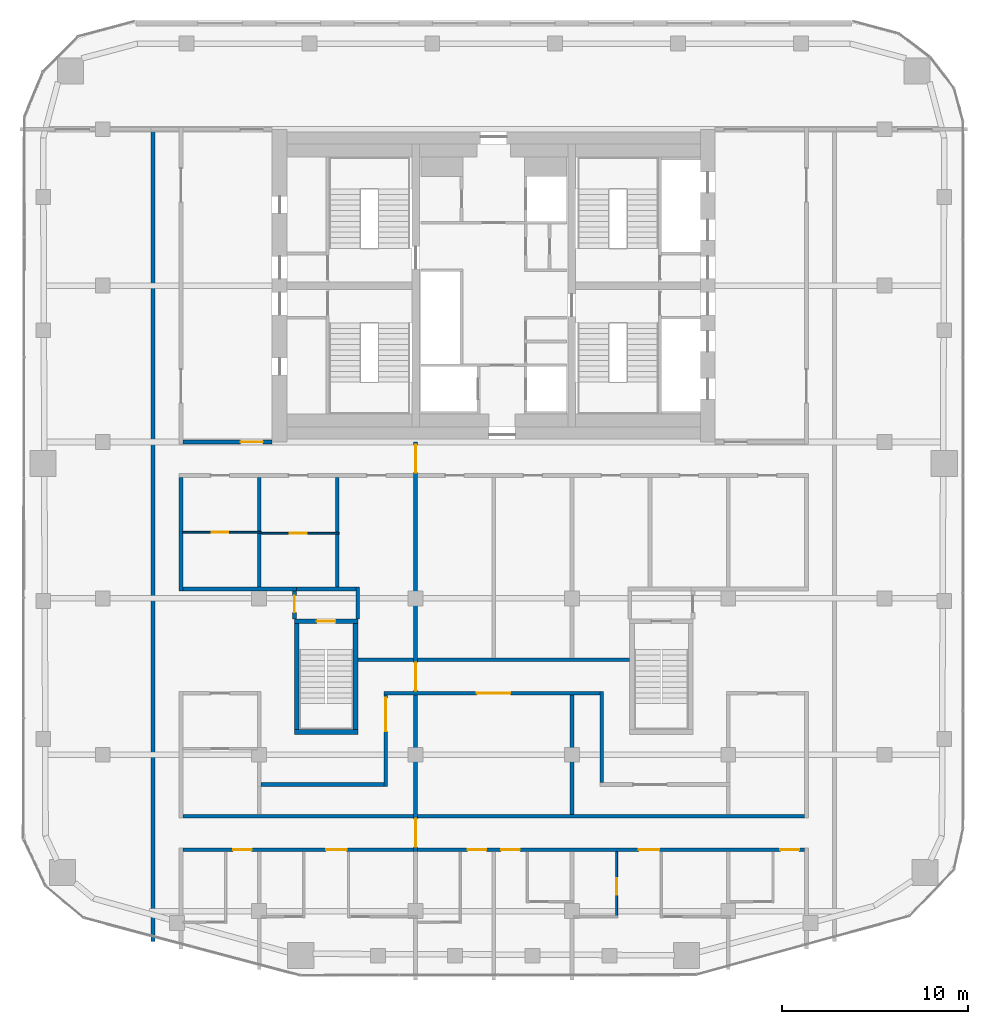
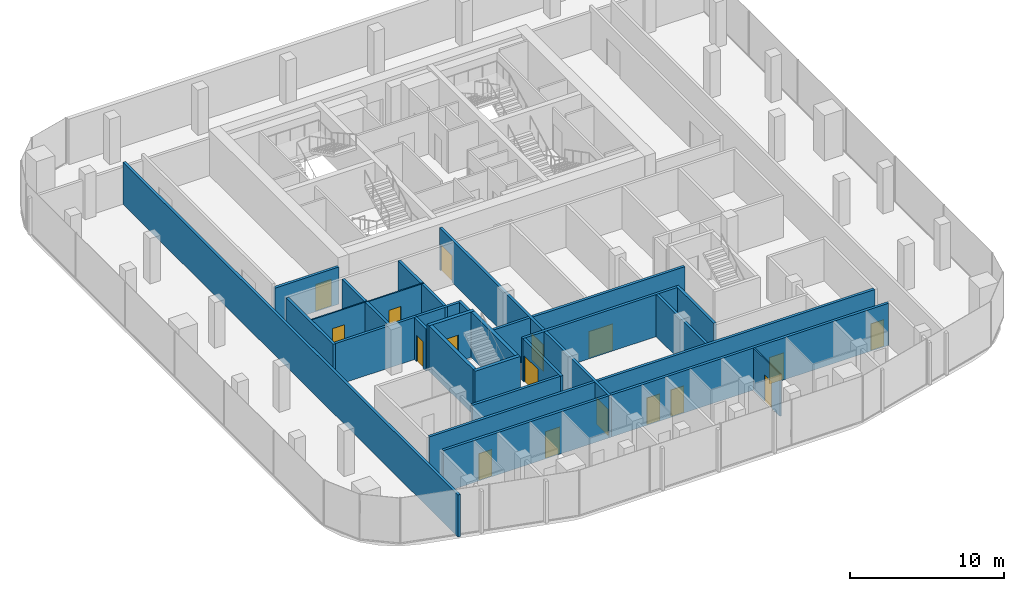
# One storey, part 14 of 20: 26 walls, 17 doors, 17 openings.
"""IFC4 building model written with IfcOpenShell, lengths in metres."""

from ifc_helpers import new_model, si_unit, direction, frame, frame_2d, origin, place, context, subcontext, project, spatial, rectangle, extrude, material, layer, layer_set, type_object, element, fill, save


model = new_model("IFC4")

# Units and contexts
model_context = context("Model", 3, precision=1e-05, world=origin(), true_north=direction((0.0, 1.0)))
body_context = subcontext(model_context, "Body", "Model", "MODEL_VIEW")
ifc_project = project(units=[si_unit("LENGTHUNIT", "METRE"), si_unit("AREAUNIT", "SQUARE_METRE"), si_unit("VOLUMEUNIT", "CUBIC_METRE"), si_unit("PLANEANGLEUNIT", "RADIAN"), si_unit("MASSUNIT", "GRAM", prefix="KILO")], contexts=[model_context])

# Site, building, storey
site_placement = place(None, origin())
site = spatial("IfcSite", under=ifc_project, at=site_placement, CompositionType="ELEMENT")
building_placement = place(site_placement, origin())
building = spatial("IfcBuilding", under=site, at=building_placement, Name="Marenta Gate Hotel Tower", CompositionType="ELEMENT")
storey_placement = place(building_placement, frame((0.0, 0.0, 216.5)))
storey = spatial("IfcBuildingStorey", under=building, at=storey_placement, Name="L50", CompositionType="ELEMENT", Elevation=216.5)

# Wall, opening, door
ifc_material_1 = material(Name="Concrete blockwork", Category="masonry")
ifc_layer_1 = layer(ifc_material_1, 0.199951171875)
ifc_layer_set_1 = layer_set([ifc_layer_1], Name="Concrete blockwork")
wall_type_1 = type_object("IfcWallType", Name="Compartment wall 200 REI 180", PredefinedType="PARTITIONING", material=ifc_layer_set_1)
wall_1_placement = place(storey_placement, frame((-4.199951171875, -22.0, 0.0), z_axis=(0.0, 0.0, 1.0), x_axis=(0.0, 1.0, 0.0)))
wall_1 = element("IfcWall", 1, at=wall_1_placement, inside=storey, type_object=wall_type_1, Name="L50-PTN-W048", PredefinedType="PARTITIONING", context=body_context, shape_type="SweptSolid", body=[
    extrude(rectangle(XDim=8.39990234375, YDim=0.199951171875, at=frame_2d((4.199951171875, 0.0))), origin(), (0.0, 0.0, 1.0), 3.340087890625),
])
opening_1_placement = place(wall_1_placement, frame((0.25, 0.0, 0.0)))
opening_1 = element("IfcOpeningElement", 2, at=opening_1_placement, cuts=wall_1, Name="Opening G18-FD3", PredefinedType="OPENING", context=body_context, shape_type="SweptSolid", body=[
    extrude(rectangle(XDim=1.5, YDim=2.10009765625, at=frame_2d((0.75, 1.050048828125))), frame((0.0, 0.10009765625, 0.0), z_axis=(0.0, -1.0, 0.0), x_axis=(1.0, 0.0, 0.0)), (0.0, 0.0, 1.0), 0.199951171875),
])
ifc_material_2 = material(Name="Hollow steel door set", Category="steel")
door_type_1 = type_object("IfcDoorType", Name="Compartment fire door 1500x2100 EI 60", OperationType="DOUBLE_DOOR_DOUBLE_SWING", PredefinedType="DOOR", material=ifc_material_2)
door_1_placement = place(opening_1_placement, origin())
door_1 = element("IfcDoor", 3, at=door_1_placement, inside=storey, type_object=door_type_1, Name="L50-PD-FD03", OperationType="DOUBLE_DOOR_DOUBLE_SWING", OverallHeight=2.10009765625, OverallWidth=1.5, PredefinedType="DOOR", context=body_context, shape_type="SweptSolid", body=[
    extrude(rectangle(XDim=1.5, YDim=2.10009765625, at=frame_2d((0.75, 1.050048828125))), frame((0.0, 0.02490234375, 0.0), z_axis=(0.0, -1.0, 0.0), x_axis=(1.0, 0.0, 0.0)), (0.0, 0.0, 1.0), 0.050048828125),
])
fill(opening_1, door_1)

# Wall, openings, doors
wall_2_placement = place(storey_placement, frame((-4.199951171875, -13.60009765625, 0.0), z_axis=(0.0, 0.0, 1.0), x_axis=(0.0, 1.0, 0.0)))
wall_2 = element("IfcWall", 4, at=wall_2_placement, inside=storey, type_object=wall_type_1, Name="L50-PTN-W049", PredefinedType="PARTITIONING", context=body_context, shape_type="SweptSolid", body=[
    extrude(rectangle(XDim=13.60009765625, YDim=0.199951171875, at=frame_2d((6.800048828125, 0.0))), origin(), (0.0, 0.0, 1.0), 3.340087890625),
])
opening_2_placement = place(wall_2_placement, frame((11.949951171875, 0.0, 0.0)))
opening_2 = element("IfcOpeningElement", 5, at=opening_2_placement, cuts=wall_2, Name="Opening G18-FD1", PredefinedType="OPENING", context=body_context, shape_type="SweptSolid", body=[
    extrude(rectangle(XDim=1.5, YDim=2.10009765625, at=frame_2d((0.75, 1.050048828125))), frame((0.0, 0.10009765625, 0.0), z_axis=(0.0, -1.0, 0.0), x_axis=(1.0, 0.0, 0.0)), (0.0, 0.0, 1.0), 0.199951171875),
])
opening_3_placement = place(wall_2_placement, frame((0.25, 0.0, 0.0)))
opening_3 = element("IfcOpeningElement", 6, at=opening_3_placement, cuts=wall_2, Name="Opening G18-FD2", PredefinedType="OPENING", context=body_context, shape_type="SweptSolid", body=[
    extrude(rectangle(XDim=1.5, YDim=2.10009765625, at=frame_2d((0.75, 1.050048828125))), frame((0.0, 0.10009765625, 0.0), z_axis=(0.0, -1.0, 0.0), x_axis=(1.0, 0.0, 0.0)), (0.0, 0.0, 1.0), 0.199951171875),
])
door_2_placement = place(opening_2_placement, origin())
door_2 = element("IfcDoor", 7, at=door_2_placement, inside=storey, type_object=door_type_1, Name="L50-PD-FD01", OperationType="DOUBLE_DOOR_DOUBLE_SWING", OverallHeight=2.10009765625, OverallWidth=1.5, PredefinedType="DOOR", context=body_context, shape_type="SweptSolid", body=[
    extrude(rectangle(XDim=1.5, YDim=2.10009765625, at=frame_2d((0.75, 1.050048828125))), frame((0.0, 0.02490234375, 0.0), z_axis=(0.0, -1.0, 0.0), x_axis=(1.0, 0.0, 0.0)), (0.0, 0.0, 1.0), 0.050048828125),
])
fill(opening_2, door_2)
door_3_placement = place(opening_3_placement, origin())
door_3 = element("IfcDoor", 8, at=door_3_placement, inside=storey, type_object=door_type_1, Name="L50-PD-FD02", OperationType="DOUBLE_DOOR_DOUBLE_SWING", OverallHeight=2.10009765625, OverallWidth=1.5, PredefinedType="DOOR", context=body_context, shape_type="SweptSolid", body=[
    extrude(rectangle(XDim=1.5, YDim=2.10009765625, at=frame_2d((0.75, 1.050048828125))), frame((0.0, 0.02490234375, 0.0), z_axis=(0.0, -1.0, 0.0), x_axis=(1.0, 0.0, 0.0)), (0.0, 0.0, 1.0), 0.050048828125),
])
fill(opening_3, door_3)

# Wall, opening, door
ifc_material_3 = material(Name="Concrete blockwork", Category="masonry")
ifc_layer_2 = layer(ifc_material_3, 0.199951171875)
ifc_layer_set_2 = layer_set([ifc_layer_2], Name="Concrete blockwork")
wall_type_2 = type_object("IfcWallType", Name="Core boundary wall 200 REI 180", PredefinedType="PARTITIONING", material=ifc_layer_set_2)
wall_3_placement = place(storey_placement, frame((-16.699951171875, 0.0, 0.0), z_axis=(0.0, 0.0, 1.0), x_axis=(1.0, 0.0, 0.0)))
wall_3 = element("IfcWall", 9, at=wall_3_placement, inside=storey, type_object=wall_type_2, Name="L50-CP-EW-WS", PredefinedType="PARTITIONING", context=body_context, shape_type="SweptSolid", body=[
    extrude(rectangle(XDim=4.800048828125, YDim=0.199951171875, at=frame_2d((2.39990234375, 0.0))), origin(), (0.0, 0.0, 1.0), 2.93994140625),
])
opening_4_placement = place(wall_3_placement, frame((3.10009765625, 0.0, 0.0)))
opening_4 = element("IfcOpeningElement", 10, at=opening_4_placement, cuts=wall_3, Name="Opening RFD-WS", PredefinedType="OPENING", context=body_context, shape_type="SweptSolid", body=[
    extrude(rectangle(XDim=1.199951171875, YDim=2.10009765625, at=frame_2d((0.60009765625, 1.050048828125))), frame((0.0, 0.10009765625, 0.0), z_axis=(0.0, -1.0, 0.0), x_axis=(1.0, 0.0, 0.0)), (0.0, 0.0, 1.0), 0.199951171875),
])
ifc_material_4 = material(Name="Steel", Category="steel")
door_type_2 = type_object("IfcDoorType", Name="Core lobby door 1200x2100 FD60", OperationType="SINGLE_SWING_LEFT", PredefinedType="DOOR", material=ifc_material_4)
door_4_placement = place(opening_4_placement, origin())
door_4 = element("IfcDoor", 11, at=door_4_placement, inside=storey, type_object=door_type_2, Name="RFD-WS", OperationType="SINGLE_SWING_LEFT", OverallHeight=2.10009765625, OverallWidth=1.199951171875, PredefinedType="DOOR", context=body_context, shape_type="SweptSolid", body=[
    extrude(rectangle(XDim=1.199951171875, YDim=2.10009765625, at=frame_2d((0.60009765625, 1.050048828125))), frame((0.0, 0.02490234375, 0.0), z_axis=(0.0, -1.0, 0.0), x_axis=(1.0, 0.0, 0.0)), (0.0, 0.0, 1.0), 0.050048828125),
])
fill(opening_4, door_4)

# Wall
ifc_material_5 = material(Name="Concrete C40", Category="concrete")
ifc_layer_3 = layer(ifc_material_5, 0.25)
ifc_layer_set_3 = layer_set([ifc_layer_3], Name="Concrete C40")
wall_type_3 = type_object("IfcWallType", Name="Remote stair enclosure wall 250 REI 180", PredefinedType="SHEAR", material=ifc_layer_set_3)
wall_4_placement = place(storey_placement, frame((-10.699951171875, -15.574951171875, 0.10009765625), z_axis=(0.0, 0.0, 1.0), x_axis=(1.0, 0.0, 0.0)))
element("IfcWall", 12, at=wall_4_placement, inside=storey, type_object=wall_type_3, Name="L50-RS-Z3-1-W1", PredefinedType="SHEAR", context=body_context, shape_type="SweptSolid", body=[
    extrude(rectangle(XDim=3.39990234375, YDim=0.25, at=frame_2d((1.699951171875, 0.0))), origin(), (0.0, 0.0, 1.0), 3.599853515625),
])

# Wall, opening, door
wall_5_placement = place(storey_placement, frame((-10.699951171875, -9.625, 0.10009765625), z_axis=(0.0, 0.0, 1.0), x_axis=(1.0, 0.0, 0.0)))
wall_5 = element("IfcWall", 13, at=wall_5_placement, inside=storey, type_object=wall_type_3, Name="L50-RS-Z3-1-W2", PredefinedType="SHEAR", context=body_context, shape_type="SweptSolid", body=[
    extrude(rectangle(XDim=3.39990234375, YDim=0.25, at=frame_2d((1.699951171875, 0.0))), origin(), (0.0, 0.0, 1.0), 3.599853515625),
])
opening_5_placement = place(wall_5_placement, frame((1.199951171875, 0.0, 0.0)))
opening_5 = element("IfcOpeningElement", 14, at=opening_5_placement, cuts=wall_5, Name="Opening VD", PredefinedType="OPENING", context=body_context, shape_type="SweptSolid", body=[
    extrude(rectangle(XDim=1.0, YDim=2.10009765625, at=frame_2d((0.5, 1.050048828125))), frame((0.0, 0.125, 0.0), z_axis=(0.0, -1.0, 0.0), x_axis=(1.0, 0.0, 0.0)), (0.0, 0.0, 1.0), 0.25),
])
ifc_material_6 = material(Name="Steel", Category="steel")
door_type_3 = type_object("IfcDoorType", Name="Stair vestibule door 1000x2100 FD60", OperationType="SINGLE_SWING_LEFT", PredefinedType="DOOR", material=ifc_material_6)
door_5_placement = place(opening_5_placement, origin())
door_5 = element("IfcDoor", 15, at=door_5_placement, inside=storey, type_object=door_type_3, Name="VD", OperationType="SINGLE_SWING_LEFT", OverallHeight=2.10009765625, OverallWidth=1.0, PredefinedType="DOOR", context=body_context, shape_type="SweptSolid", body=[
    extrude(rectangle(XDim=1.0, YDim=2.10009765625, at=frame_2d((0.5, 1.050048828125))), frame((0.0, 0.02490234375, 0.0), z_axis=(0.0, -1.0, 0.0), x_axis=(1.0, 0.0, 0.0)), (0.0, 0.0, 1.0), 0.050048828125),
])
fill(opening_5, door_5)

# Walls
for number, where, z_axis, x_axis, name in (
    (16, (-10.574951171875, -15.449951171875, 0.10009765625), (0.0, 0.0, 1.0), (0.0, 1.0, 0.0), "L50-RS-Z3-1-W3"),
    (17, (-7.425048828125, -15.449951171875, 0.10009765625), (0.0, 0.0, 1.0), (0.0, 1.0, 0.0), "L50-RS-Z3-1-W4"),
):
    element("IfcWall", number, at=place(storey_placement, frame(where, z_axis=z_axis, x_axis=x_axis)), inside=storey, type_object=wall_type_3, Name=name, PredefinedType="SHEAR", context=body_context, shape_type="SweptSolid", body=[
        extrude(rectangle(XDim=5.699951171875, YDim=0.25, at=frame_2d((2.85009765625, 0.0))), origin(), (0.0, 0.0, 1.0), 3.599853515625),
    ])
ifc_material_7 = material(Name="Concrete blockwork", Category="masonry")
ifc_layer_4 = layer(ifc_material_7, 0.199951171875)
ifc_layer_set_4 = layer_set([ifc_layer_4], Name="Concrete blockwork")
wall_type_4 = type_object("IfcWallType", Name="Room corridor wall 200 EI 120", PredefinedType="PARTITIONING", material=ifc_layer_set_4)
wall_6_placement = place(storey_placement, frame((-16.699951171875, -20.10009765625, 0.0), z_axis=(0.0, 0.0, 1.0), x_axis=(1.0, 0.0, 0.0)))
element("IfcWall", 18, at=wall_6_placement, inside=storey, type_object=wall_type_4, Name="L50-PTN-W010", PredefinedType="PARTITIONING", context=body_context, shape_type="SweptSolid", body=[
    extrude(rectangle(XDim=33.39990234375, YDim=0.199951171875, at=frame_2d((16.699951171875, 0.0))), origin(), (0.0, 0.0, 1.0), 3.340087890625),
])
wall_7_placement = place(storey_placement, frame((-16.699951171875, -7.89990234375, 0.0), z_axis=(0.0, 0.0, 1.0), x_axis=(1.0, 0.0, 0.0)))
element("IfcWall", 19, at=wall_7_placement, inside=storey, type_object=wall_type_4, Name="L50-PTN-W030", PredefinedType="PARTITIONING", context=body_context, shape_type="SweptSolid", body=[
    extrude(rectangle(XDim=6.099853515625, YDim=0.199951171875, at=frame_2d((3.0498046875, 0.0))), origin(), (0.0, 0.0, 1.0), 3.340087890625),
])

# Wall, openings, doors
ifc_material_8 = material(Name="Gypsum board on steel stud", Category="steel")
ifc_layer_5 = layer(ifc_material_8, 0.199951171875)
ifc_layer_set_5 = layer_set([ifc_layer_5], Name="Gypsum board on steel stud")
wall_type_5 = type_object("IfcWallType", Name="Room corridor wall 200 EI 60", PredefinedType="PARTITIONING", material=ifc_layer_set_5)
wall_8_placement = place(storey_placement, frame((-16.699951171875, -21.89990234375, 0.0), z_axis=(0.0, 0.0, 1.0), x_axis=(1.0, 0.0, 0.0)))
wall_8 = element("IfcWall", 20, at=wall_8_placement, inside=storey, type_object=wall_type_5, Name="L50-PTN-W009", PredefinedType="PARTITIONING", context=body_context, shape_type="SweptSolid", body=[
    extrude(rectangle(XDim=33.39990234375, YDim=0.199951171875, at=frame_2d((16.699951171875, 0.0))), origin(), (0.0, 0.0, 1.0), 3.340087890625),
])
opening_6_placement = place(wall_8_placement, frame((2.699951171875, 0.0, 0.0)))
opening_6 = element("IfcOpeningElement", 21, at=opening_6_placement, cuts=wall_8, Name="Opening G18-17", PredefinedType="OPENING", context=body_context, shape_type="SweptSolid", body=[
    extrude(rectangle(XDim=1.0, YDim=2.10009765625, at=frame_2d((0.5, 1.050048828125))), frame((0.0, 0.10009765625, 0.0), z_axis=(0.0, -1.0, 0.0), x_axis=(1.0, 0.0, 0.0)), (0.0, 0.0, 1.0), 0.199951171875),
])
opening_7_placement = place(wall_8_placement, frame((7.699951171875, 0.0, 0.0)))
opening_7 = element("IfcOpeningElement", 22, at=opening_7_placement, cuts=wall_8, Name="Opening G18-19", PredefinedType="OPENING", context=body_context, shape_type="SweptSolid", body=[
    extrude(rectangle(XDim=1.10009765625, YDim=2.10009765625, at=frame_2d((0.550048828125, 1.050048828125))), frame((0.0, 0.10009765625, 0.0), z_axis=(0.0, -1.0, 0.0), x_axis=(1.0, 0.0, 0.0)), (0.0, 0.0, 1.0), 0.199951171875),
])
opening_8_placement = place(wall_8_placement, frame((15.300048828125, 0.0, 0.0)))
opening_8 = element("IfcOpeningElement", 23, at=opening_8_placement, cuts=wall_8, Name="Opening G18-22", PredefinedType="OPENING", context=body_context, shape_type="SweptSolid", body=[
    extrude(rectangle(XDim=1.0, YDim=2.10009765625, at=frame_2d((0.5, 1.050048828125))), frame((0.0, 0.10009765625, 0.0), z_axis=(0.0, -1.0, 0.0), x_axis=(1.0, 0.0, 0.0)), (0.0, 0.0, 1.0), 0.199951171875),
])
opening_9_placement = place(wall_8_placement, frame((17.10009765625, 0.0, 0.0)))
opening_9 = element("IfcOpeningElement", 24, at=opening_9_placement, cuts=wall_8, Name="Opening G18-24", PredefinedType="OPENING", context=body_context, shape_type="SweptSolid", body=[
    extrude(rectangle(XDim=1.0, YDim=2.10009765625, at=frame_2d((0.5, 1.050048828125))), frame((0.0, 0.10009765625, 0.0), z_axis=(0.0, -1.0, 0.0), x_axis=(1.0, 0.0, 0.0)), (0.0, 0.0, 1.0), 0.199951171875),
])
opening_10_placement = place(wall_8_placement, frame((24.5, 0.0, 0.0)))
opening_10 = element("IfcOpeningElement", 25, at=opening_10_placement, cuts=wall_8, Name="Opening G18-26", PredefinedType="OPENING", context=body_context, shape_type="SweptSolid", body=[
    extrude(rectangle(XDim=1.10009765625, YDim=2.10009765625, at=frame_2d((0.550048828125, 1.050048828125))), frame((0.0, 0.10009765625, 0.0), z_axis=(0.0, -1.0, 0.0), x_axis=(1.0, 0.0, 0.0)), (0.0, 0.0, 1.0), 0.199951171875),
])
opening_11_placement = place(wall_8_placement, frame((32.10009765625, 0.0, 0.0)))
opening_11 = element("IfcOpeningElement", 26, at=opening_11_placement, cuts=wall_8, Name="Opening G18-29", PredefinedType="OPENING", context=body_context, shape_type="SweptSolid", body=[
    extrude(rectangle(XDim=1.0, YDim=2.10009765625, at=frame_2d((0.5, 1.050048828125))), frame((0.0, 0.10009765625, 0.0), z_axis=(0.0, -1.0, 0.0), x_axis=(1.0, 0.0, 0.0)), (0.0, 0.0, 1.0), 0.199951171875),
])
ifc_material_9 = material(Name="Timber door leaf", Category="wood")
door_type_4 = type_object("IfcDoorType", Name="Guest room door 1000x2100 EI 30", OperationType="NOTDEFINED", PredefinedType="DOOR", material=ifc_material_9)
door_6_placement = place(opening_6_placement, origin())
door_6 = element("IfcDoor", 27, at=door_6_placement, inside=storey, type_object=door_type_4, Name="L50-PD-D017", OperationType="SINGLE_SWING_LEFT", OverallHeight=2.10009765625, OverallWidth=1.0, PredefinedType="DOOR", context=body_context, shape_type="SweptSolid", body=[
    extrude(rectangle(XDim=1.0, YDim=2.10009765625, at=frame_2d((0.5, 1.050048828125))), frame((0.0, 0.02490234375, 0.0), z_axis=(0.0, -1.0, 0.0), x_axis=(1.0, 0.0, 0.0)), (0.0, 0.0, 1.0), 0.050048828125),
])
fill(opening_6, door_6)
door_7_placement = place(opening_8_placement, origin())
door_7 = element("IfcDoor", 28, at=door_7_placement, inside=storey, type_object=door_type_4, Name="L50-PD-D022", OperationType="SINGLE_SWING_RIGHT", OverallHeight=2.10009765625, OverallWidth=1.0, PredefinedType="DOOR", context=body_context, shape_type="SweptSolid", body=[
    extrude(rectangle(XDim=1.0, YDim=2.10009765625, at=frame_2d((0.5, 1.050048828125))), frame((0.0, 0.02490234375, 0.0), z_axis=(0.0, -1.0, 0.0), x_axis=(1.0, 0.0, 0.0)), (0.0, 0.0, 1.0), 0.050048828125),
])
fill(opening_8, door_7)
door_8_placement = place(opening_9_placement, origin())
door_8 = element("IfcDoor", 29, at=door_8_placement, inside=storey, type_object=door_type_4, Name="L50-PD-D024", OperationType="SINGLE_SWING_RIGHT", OverallHeight=2.10009765625, OverallWidth=1.0, PredefinedType="DOOR", context=body_context, shape_type="SweptSolid", body=[
    extrude(rectangle(XDim=1.0, YDim=2.10009765625, at=frame_2d((0.5, 1.050048828125))), frame((0.0, 0.02490234375, 0.0), z_axis=(0.0, -1.0, 0.0), x_axis=(1.0, 0.0, 0.0)), (0.0, 0.0, 1.0), 0.050048828125),
])
fill(opening_9, door_8)
door_9_placement = place(opening_11_placement, origin())
door_9 = element("IfcDoor", 30, at=door_9_placement, inside=storey, type_object=door_type_4, Name="L50-PD-D029", OperationType="SINGLE_SWING_LEFT", OverallHeight=2.10009765625, OverallWidth=1.0, PredefinedType="DOOR", context=body_context, shape_type="SweptSolid", body=[
    extrude(rectangle(XDim=1.0, YDim=2.10009765625, at=frame_2d((0.5, 1.050048828125))), frame((0.0, 0.02490234375, 0.0), z_axis=(0.0, -1.0, 0.0), x_axis=(1.0, 0.0, 0.0)), (0.0, 0.0, 1.0), 0.050048828125),
])
fill(opening_11, door_9)
ifc_material_10 = material(Name="Timber door leaf", Category="wood")
door_type_5 = type_object("IfcDoorType", Name="Guest room door 1100x2100 EI 30", OperationType="NOTDEFINED", PredefinedType="DOOR", material=ifc_material_10)
door_10_placement = place(opening_7_placement, origin())
door_10 = element("IfcDoor", 31, at=door_10_placement, inside=storey, type_object=door_type_5, Name="L50-PD-D019", OperationType="SINGLE_SWING_LEFT", OverallHeight=2.10009765625, OverallWidth=1.10009765625, PredefinedType="DOOR", context=body_context, shape_type="SweptSolid", body=[
    extrude(rectangle(XDim=1.10009765625, YDim=2.10009765625, at=frame_2d((0.550048828125, 1.050048828125))), frame((0.0, 0.02490234375, 0.0), z_axis=(0.0, -1.0, 0.0), x_axis=(1.0, 0.0, 0.0)), (0.0, 0.0, 1.0), 0.050048828125),
])
fill(opening_7, door_10)
door_11_placement = place(opening_10_placement, origin())
door_11 = element("IfcDoor", 32, at=door_11_placement, inside=storey, type_object=door_type_5, Name="L50-PD-D026", OperationType="SINGLE_SWING_LEFT", OverallHeight=2.10009765625, OverallWidth=1.10009765625, PredefinedType="DOOR", context=body_context, shape_type="SweptSolid", body=[
    extrude(rectangle(XDim=1.10009765625, YDim=2.10009765625, at=frame_2d((0.550048828125, 1.050048828125))), frame((0.0, 0.02490234375, 0.0), z_axis=(0.0, -1.0, 0.0), x_axis=(1.0, 0.0, 0.0)), (0.0, 0.0, 1.0), 0.050048828125),
])
fill(opening_10, door_11)

# Wall
wall_9_placement = place(storey_placement, frame((-12.5, -18.39990234375, 0.0), z_axis=(0.0, 0.0, 1.0), x_axis=(1.0, 0.0, 0.0)))
element("IfcWall", 33, at=wall_9_placement, inside=storey, type_object=wall_type_5, Name="L50-PTN-W011", PredefinedType="PARTITIONING", context=body_context, shape_type="SweptSolid", body=[
    extrude(rectangle(XDim=6.60009765625, YDim=0.199951171875, at=frame_2d((3.300048828125, 0.0))), origin(), (0.0, 0.0, 1.0), 3.340087890625),
])

# Wall, opening, door
wall_10_placement = place(storey_placement, frame((-5.89990234375, -13.5, 0.0), z_axis=(0.0, 0.0, 1.0), x_axis=(1.0, 0.0, 0.0)))
wall_10 = element("IfcWall", 34, at=wall_10_placement, inside=storey, type_object=wall_type_5, Name="L50-PTN-W020", PredefinedType="PARTITIONING", context=body_context, shape_type="SweptSolid", body=[
    extrude(rectangle(XDim=11.599853515625, YDim=0.199951171875, at=frame_2d((5.7998046875, 0.0))), origin(), (0.0, 0.0, 1.0), 3.340087890625),
])
opening_12_placement = place(wall_10_placement, frame((5.0, 0.0, 0.0)))
opening_12 = element("IfcOpeningElement", 35, at=opening_12_placement, cuts=wall_10, Name="Opening G18-14", PredefinedType="OPENING", context=body_context, shape_type="SweptSolid", body=[
    extrude(rectangle(XDim=1.800048828125, YDim=2.10009765625, at=frame_2d((0.89990234375, 1.050048828125))), frame((0.0, 0.10009765625, 0.0), z_axis=(0.0, -1.0, 0.0), x_axis=(1.0, 0.0, 0.0)), (0.0, 0.0, 1.0), 0.199951171875),
])
ifc_material_11 = material(Name="Timber door leaf", Category="wood")
door_type_6 = type_object("IfcDoorType", Name="Room amenity door 1800x2100 EI 30", OperationType="DOUBLE_DOOR_SINGLE_SWING", PredefinedType="DOOR", material=ifc_material_11)
door_12_placement = place(opening_12_placement, origin())
door_12 = element("IfcDoor", 36, at=door_12_placement, inside=storey, type_object=door_type_6, Name="L50-PD-D014", OperationType="DOUBLE_DOOR_SINGLE_SWING", OverallHeight=2.10009765625, OverallWidth=1.800048828125, PredefinedType="DOOR", context=body_context, shape_type="SweptSolid", body=[
    extrude(rectangle(XDim=1.800048828125, YDim=2.10009765625, at=frame_2d((0.89990234375, 1.050048828125))), frame((0.0, 0.02490234375, 0.0), z_axis=(0.0, -1.0, 0.0), x_axis=(1.0, 0.0, 0.0)), (0.0, 0.0, 1.0), 0.050048828125),
])
fill(opening_12, door_12)

# Walls
wall_11_placement = place(storey_placement, frame((-7.300048828125, -11.699951171875, 0.0), z_axis=(0.0, 0.0, 1.0), x_axis=(1.0, 0.0, 0.0)))
element("IfcWall", 37, at=wall_11_placement, inside=storey, type_object=wall_type_5, Name="L50-PTN-W026", PredefinedType="PARTITIONING", context=body_context, shape_type="SweptSolid", body=[
    extrude(rectangle(XDim=14.60009765625, YDim=0.199951171875, at=frame_2d((7.300048828125, 0.0))), origin(), (0.0, 0.0, 1.0), 3.340087890625),
])
wall_12_placement = place(storey_placement, frame((5.800048828125, -18.300048828125, 0.0), z_axis=(0.0, 0.0, 1.0), x_axis=(0.0, 1.0, 0.0)))
element("IfcWall", 38, at=wall_12_placement, inside=storey, type_object=wall_type_5, Name="L50-PTN-W036", PredefinedType="PARTITIONING", context=body_context, shape_type="SweptSolid", body=[
    extrude(rectangle(XDim=4.900146484375, YDim=0.199951171875, at=frame_2d((2.4501953125, 0.0))), origin(), (0.0, 0.0, 1.0), 3.340087890625),
])

# Wall, opening, door
wall_13_placement = place(storey_placement, frame((-5.800048828125, -18.5, 0.0), z_axis=(0.0, 0.0, 1.0), x_axis=(0.0, 1.0, 0.0)))
wall_13 = element("IfcWall", 39, at=wall_13_placement, inside=storey, type_object=wall_type_5, Name="L50-PTN-W050", PredefinedType="PARTITIONING", context=body_context, shape_type="SweptSolid", body=[
    extrude(rectangle(XDim=4.89990234375, YDim=0.199951171875, at=frame_2d((2.449951171875, 0.0))), origin(), (0.0, 0.0, 1.0), 3.340087890625),
])
opening_13_placement = place(wall_13_placement, frame((2.949951171875, 0.0, 0.0)))
opening_13 = element("IfcOpeningElement", 40, at=opening_13_placement, cuts=wall_13, Name="Opening G18-13", PredefinedType="OPENING", context=body_context, shape_type="SweptSolid", body=[
    extrude(rectangle(XDim=1.800048828125, YDim=2.10009765625, at=frame_2d((0.89990234375, 1.050048828125))), frame((0.0, 0.10009765625, 0.0), z_axis=(0.0, -1.0, 0.0), x_axis=(1.0, 0.0, 0.0)), (0.0, 0.0, 1.0), 0.199951171875),
])
door_13_placement = place(opening_13_placement, origin())
door_13 = element("IfcDoor", 41, at=door_13_placement, inside=storey, type_object=door_type_6, Name="L50-PD-D013", OperationType="DOUBLE_DOOR_SINGLE_SWING", OverallHeight=2.10009765625, OverallWidth=1.800048828125, PredefinedType="DOOR", context=body_context, shape_type="SweptSolid", body=[
    extrude(rectangle(XDim=1.800048828125, YDim=2.10009765625, at=frame_2d((0.89990234375, 1.050048828125))), frame((0.0, 0.02490234375, 0.0), z_axis=(0.0, -1.0, 0.0), x_axis=(1.0, 0.0, 0.0)), (0.0, 0.0, 1.0), 0.050048828125),
])
fill(opening_13, door_13)

# Wall
wall_14_placement = place(storey_placement, frame((-16.800048828125, -8.0, 0.0), z_axis=(0.0, 0.0, 1.0), x_axis=(0.0, 1.0, 0.0)))
element("IfcWall", 42, at=wall_14_placement, inside=storey, type_object=wall_type_5, Name="L50-PTN-W063", PredefinedType="PARTITIONING", context=body_context, shape_type="SweptSolid", body=[
    extrude(rectangle(XDim=6.10009765625, YDim=0.199951171875, at=frame_2d((3.050048828125, 0.0))), origin(), (0.0, 0.0, 1.0), 3.340087890625),
])

# Wall, opening, door
ifc_material_12 = material(Name="Concrete blockwork", Category="masonry")
ifc_layer_6 = layer(ifc_material_12, 0.199951171875)
ifc_layer_set_6 = layer_set([ifc_layer_6], Name="Concrete blockwork")
wall_type_6 = type_object("IfcWallType", Name="Room corridor wall 200 REI 180", PredefinedType="PARTITIONING", material=ifc_layer_set_6)
wall_15_placement = place(storey_placement, frame((-10.699951171875, -9.5, 0.0), z_axis=(0.0, 0.0, 1.0), x_axis=(0.0, 1.0, 0.0)))
wall_15 = element("IfcWall", 43, at=wall_15_placement, inside=storey, type_object=wall_type_6, Name="L50-PTN-W055", PredefinedType="PARTITIONING", context=body_context, shape_type="SweptSolid", body=[
    extrude(rectangle(XDim=1.5, YDim=0.199951171875, at=frame_2d((0.75, 0.0))), origin(), (0.0, 0.0, 1.0), 3.340087890625),
])
opening_14_placement = place(wall_15_placement, frame((0.35009765625, 0.0, 0.0)))
opening_14 = element("IfcOpeningElement", 44, at=opening_14_placement, cuts=wall_15, Name="Opening G18-33", PredefinedType="OPENING", context=body_context, shape_type="SweptSolid", body=[
    extrude(rectangle(XDim=0.89990234375, YDim=2.10009765625, at=frame_2d((0.449951171875, 1.050048828125))), frame((0.0, 0.10009765625, 0.0), z_axis=(0.0, -1.0, 0.0), x_axis=(1.0, 0.0, 0.0)), (0.0, 0.0, 1.0), 0.199951171875),
])
ifc_material_13 = material(Name="Hollow steel door set", Category="steel")
door_type_7 = type_object("IfcDoorType", Name="Stair vestibule door 900x2100 EI 60", OperationType="NOTDEFINED", PredefinedType="DOOR", material=ifc_material_13)
door_14_placement = place(opening_14_placement, origin())
door_14 = element("IfcDoor", 45, at=door_14_placement, inside=storey, type_object=door_type_7, Name="L50-PD-D033", OperationType="SINGLE_SWING_LEFT", OverallHeight=2.10009765625, OverallWidth=0.89990234375, PredefinedType="DOOR", context=body_context, shape_type="SweptSolid", body=[
    extrude(rectangle(XDim=0.89990234375, YDim=2.10009765625, at=frame_2d((0.449951171875, 1.050048828125))), frame((0.0, 0.02490234375, 0.0), z_axis=(0.0, -1.0, 0.0), x_axis=(1.0, 0.0, 0.0)), (0.0, 0.0, 1.0), 0.050048828125),
])
fill(opening_14, door_14)

# Wall
wall_16_placement = place(storey_placement, frame((-18.300048828125, -26.8310546875, 0.0), z_axis=(0.0, 0.0, 1.0), x_axis=(0.0, 1.0, 0.0)))
element("IfcWall", 46, at=wall_16_placement, inside=storey, type_object=wall_type_6, Name="L50-PTN-W068", PredefinedType="PARTITIONING", context=body_context, shape_type="SweptSolid", body=[
    extrude(rectangle(XDim=43.531005859375, YDim=0.199951171875, at=frame_2d((21.765625, 0.0))), origin(), (0.0, 0.0, 1.0), 3.340087890625),
])

# Wall, opening, door
ifc_material_14 = material(Name="Gypsum board on steel stud", Category="steel")
ifc_layer_7 = layer(ifc_material_14, 0.10009765625)
ifc_layer_set_7 = layer_set([ifc_layer_7], Name="Gypsum board on steel stud")
wall_type_7 = type_object("IfcWallType", Name="Room partition 100", PredefinedType="PARTITIONING", material=ifc_layer_set_7)
wall_17_placement = place(storey_placement, frame((6.60009765625, -25.449951171875, 0.0), z_axis=(0.0, 0.0, 1.0), x_axis=(0.0, 1.0, 0.0)))
wall_17 = element("IfcWall", 47, at=wall_17_placement, inside=storey, type_object=wall_type_7, Name="L50-PTN-W035", PredefinedType="PARTITIONING", context=body_context, shape_type="SweptSolid", body=[
    extrude(rectangle(XDim=3.449951171875, YDim=0.10009765625, at=frame_2d((1.72509765625, 0.0))), origin(), (0.0, 0.0, 1.0), 3.340087890625),
])
opening_15_placement = place(wall_17_placement, frame((1.1201171875, 0.0, 0.0)))
opening_15 = element("IfcOpeningElement", 48, at=opening_15_placement, cuts=wall_17, Name="Opening G18-28", PredefinedType="OPENING", context=body_context, shape_type="SweptSolid", body=[
    extrude(rectangle(XDim=0.89990234375, YDim=2.10009765625, at=frame_2d((0.449951171875, 1.050048828125))), frame((0.0, 0.050048828125, 0.0), z_axis=(0.0, -1.0, 0.0), x_axis=(1.0, 0.0, 0.0)), (0.0, 0.0, 1.0), 0.10009765625),
])
ifc_material_15 = material(Name="Timber door leaf", Category="wood")
door_type_8 = type_object("IfcDoorType", Name="Room inner door 900x2100", OperationType="NOTDEFINED", PredefinedType="DOOR", material=ifc_material_15)
door_15_placement = place(opening_15_placement, origin())
door_15 = element("IfcDoor", 49, at=door_15_placement, inside=storey, type_object=door_type_8, Name="L50-PD-D028", OperationType="SINGLE_SWING_LEFT", OverallHeight=2.10009765625, OverallWidth=0.89990234375, PredefinedType="DOOR", context=body_context, shape_type="SweptSolid", body=[
    extrude(rectangle(XDim=0.89990234375, YDim=2.10009765625, at=frame_2d((0.449951171875, 1.050048828125))), frame((0.0, 0.02490234375, 0.0), z_axis=(0.0, -1.0, 0.0), x_axis=(1.0, 0.0, 0.0)), (0.0, 0.0, 1.0), 0.050048828125),
])
fill(opening_15, door_15)

wall_18_placement = place(storey_placement, frame((-12.5, -4.89990234375, 0.0), z_axis=(0.0, 0.0, 1.0), x_axis=(1.0, 0.0, 0.0)))
wall_18 = element("IfcWall", 50, at=wall_18_placement, inside=storey, type_object=wall_type_7, Name="L50-PTN-W037", PredefinedType="PARTITIONING", context=body_context, shape_type="SweptSolid", body=[
    extrude(rectangle(XDim=4.199951171875, YDim=0.10009765625, at=frame_2d((2.10009765625, 0.0))), origin(), (0.0, 0.0, 1.0), 3.340087890625),
])
opening_16_placement = place(wall_18_placement, frame((1.550048828125, 0.0, 0.0)))
opening_16 = element("IfcOpeningElement", 51, at=opening_16_placement, cuts=wall_18, Name="Opening G18-04", PredefinedType="OPENING", context=body_context, shape_type="SweptSolid", body=[
    extrude(rectangle(XDim=0.89990234375, YDim=2.10009765625, at=frame_2d((0.449951171875, 1.050048828125))), frame((0.0, 0.050048828125, 0.0), z_axis=(0.0, -1.0, 0.0), x_axis=(1.0, 0.0, 0.0)), (0.0, 0.0, 1.0), 0.10009765625),
])
door_16_placement = place(opening_16_placement, origin())
door_16 = element("IfcDoor", 52, at=door_16_placement, inside=storey, type_object=door_type_8, Name="L50-PD-D004", OperationType="SINGLE_SWING_RIGHT", OverallHeight=2.10009765625, OverallWidth=0.89990234375, PredefinedType="DOOR", context=body_context, shape_type="SweptSolid", body=[
    extrude(rectangle(XDim=0.89990234375, YDim=2.10009765625, at=frame_2d((0.449951171875, 1.050048828125))), frame((0.0, 0.02490234375, 0.0), z_axis=(0.0, -1.0, 0.0), x_axis=(1.0, 0.0, 0.0)), (0.0, 0.0, 1.0), 0.050048828125),
])
fill(opening_16, door_16)

wall_19_placement = place(storey_placement, frame((-16.699951171875, -4.85009765625, 0.0), z_axis=(0.0, 0.0, 1.0), x_axis=(1.0, 0.0, 0.0)))
wall_19 = element("IfcWall", 53, at=wall_19_placement, inside=storey, type_object=wall_type_7, Name="L50-PTN-W038", PredefinedType="PARTITIONING", context=body_context, shape_type="SweptSolid", body=[
    extrude(rectangle(XDim=4.199951171875, YDim=0.10009765625, at=frame_2d((2.10009765625, 0.0))), origin(), (0.0, 0.0, 1.0), 3.340087890625),
])
opening_17_placement = place(wall_19_placement, frame((1.550048828125, 0.0, 0.0)))
opening_17 = element("IfcOpeningElement", 54, at=opening_17_placement, cuts=wall_19, Name="Opening G18-02", PredefinedType="OPENING", context=body_context, shape_type="SweptSolid", body=[
    extrude(rectangle(XDim=0.89990234375, YDim=2.10009765625, at=frame_2d((0.449951171875, 1.050048828125))), frame((0.0, 0.050048828125, 0.0), z_axis=(0.0, -1.0, 0.0), x_axis=(1.0, 0.0, 0.0)), (0.0, 0.0, 1.0), 0.10009765625),
])
door_17_placement = place(opening_17_placement, origin())
door_17 = element("IfcDoor", 55, at=door_17_placement, inside=storey, type_object=door_type_8, Name="L50-PD-D002", OperationType="SINGLE_SWING_RIGHT", OverallHeight=2.10009765625, OverallWidth=0.89990234375, PredefinedType="DOOR", context=body_context, shape_type="SweptSolid", body=[
    extrude(rectangle(XDim=0.89990234375, YDim=2.10009765625, at=frame_2d((0.449951171875, 1.050048828125))), frame((0.0, 0.02490234375, 0.0), z_axis=(0.0, -1.0, 0.0), x_axis=(1.0, 0.0, 0.0)), (0.0, 0.0, 1.0), 0.050048828125),
])
fill(opening_17, door_17)

# Walls
ifc_material_16 = material(Name="Concrete blockwork", Category="masonry")
ifc_layer_8 = layer(ifc_material_16, 0.199951171875)
ifc_layer_set_8 = layer_set([ifc_layer_8], Name="Concrete blockwork")
wall_type_8 = type_object("IfcWallType", Name="Room party wall 200 EI 120", PredefinedType="PARTITIONING", material=ifc_layer_set_8)
wall_20_placement = place(storey_placement, frame((-8.39990234375, -8.0, 0.0), z_axis=(0.0, 0.0, 1.0), x_axis=(0.0, 1.0, 0.0)))
element("IfcWall", 56, at=wall_20_placement, inside=storey, type_object=wall_type_8, Name="L50-PTN-W053", PredefinedType="PARTITIONING", context=body_context, shape_type="SweptSolid", body=[
    extrude(rectangle(XDim=6.10009765625, YDim=0.199951171875, at=frame_2d((3.050048828125, 0.0))), origin(), (0.0, 0.0, 1.0), 3.340087890625),
])
wall_21_placement = place(storey_placement, frame((-12.60009765625, -7.800048828125, 0.0), z_axis=(0.0, 0.0, 1.0), x_axis=(0.0, 1.0, 0.0)))
element("IfcWall", 57, at=wall_21_placement, inside=storey, type_object=wall_type_8, Name="L50-PTN-W058", PredefinedType="PARTITIONING", context=body_context, shape_type="SweptSolid", body=[
    extrude(rectangle(XDim=5.900146484375, YDim=0.199951171875, at=frame_2d((2.9501953125, 0.0))), origin(), (0.0, 0.0, 1.0), 3.340087890625),
])
ifc_material_17 = material(Name="Gypsum board on steel stud", Category="steel")
ifc_layer_9 = layer(ifc_material_17, 0.199951171875)
ifc_layer_set_9 = layer_set([ifc_layer_9], Name="Gypsum board on steel stud")
wall_type_9 = type_object("IfcWallType", Name="Room party wall 200 EI 60", PredefinedType="PARTITIONING", material=ifc_layer_set_9)
wall_22_placement = place(storey_placement, frame((4.199951171875, -20.0, 0.0), z_axis=(0.0, 0.0, 1.0), x_axis=(0.0, 1.0, 0.0)))
element("IfcWall", 58, at=wall_22_placement, inside=storey, type_object=wall_type_9, Name="L50-PTN-W040", PredefinedType="PARTITIONING", context=body_context, shape_type="SweptSolid", body=[
    extrude(rectangle(XDim=6.39990234375, YDim=0.199951171875, at=frame_2d((3.199951171875, 0.0))), origin(), (0.0, 0.0, 1.0), 3.340087890625),
])
ifc_material_18 = material(Name="Concrete blockwork", Category="masonry")
ifc_layer_10 = layer(ifc_material_18, 0.199951171875)
ifc_layer_set_10 = layer_set([ifc_layer_10], Name="Concrete blockwork")
wall_type_10 = type_object("IfcWallType", Name="Room party wall 200 REI 180", PredefinedType="PARTITIONING", material=ifc_layer_set_10)
wall_23_placement = place(storey_placement, frame((-10.60009765625, -7.89990234375, 0.0), z_axis=(0.0, 0.0, 1.0), x_axis=(1.0, 0.0, 0.0)))
element("IfcWall", 59, at=wall_23_placement, inside=storey, type_object=wall_type_10, Name="L50-PTN-W032", PredefinedType="PARTITIONING", context=body_context, shape_type="SweptSolid", body=[
    extrude(rectangle(XDim=3.2001953125, YDim=0.199951171875, at=frame_2d((1.60009765625, 0.0))), origin(), (0.0, 0.0, 1.0), 3.340087890625),
])
wall_24_placement = place(storey_placement, frame((-7.300048828125, -9.5, 0.0), z_axis=(0.0, 0.0, 1.0), x_axis=(0.0, 1.0, 0.0)))
element("IfcWall", 60, at=wall_24_placement, inside=storey, type_object=wall_type_10, Name="L50-PTN-W051", PredefinedType="PARTITIONING", context=body_context, shape_type="SweptSolid", body=[
    extrude(rectangle(XDim=1.699951171875, YDim=0.199951171875, at=frame_2d((0.85009765625, 0.0))), origin(), (0.0, 0.0, 1.0), 3.340087890625),
])

save(model, "model.ifc")
